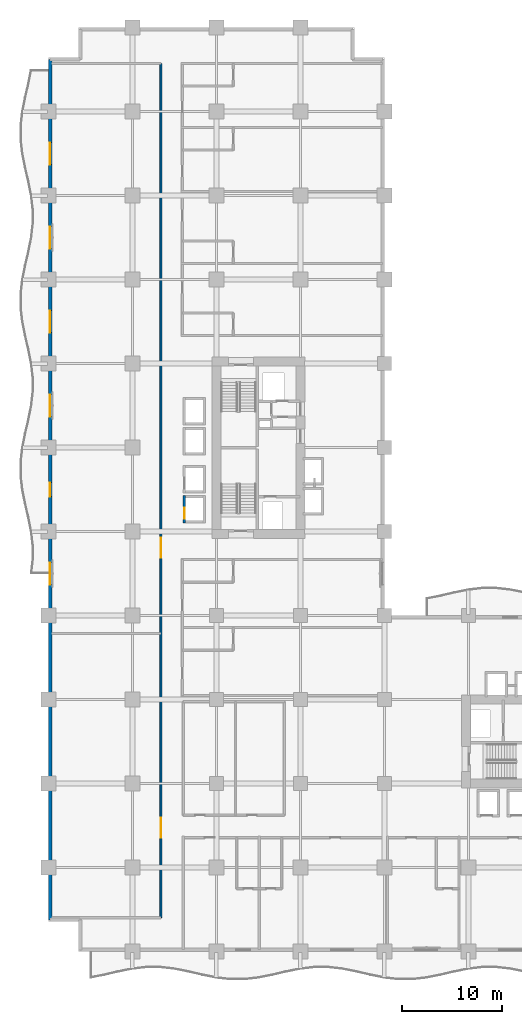
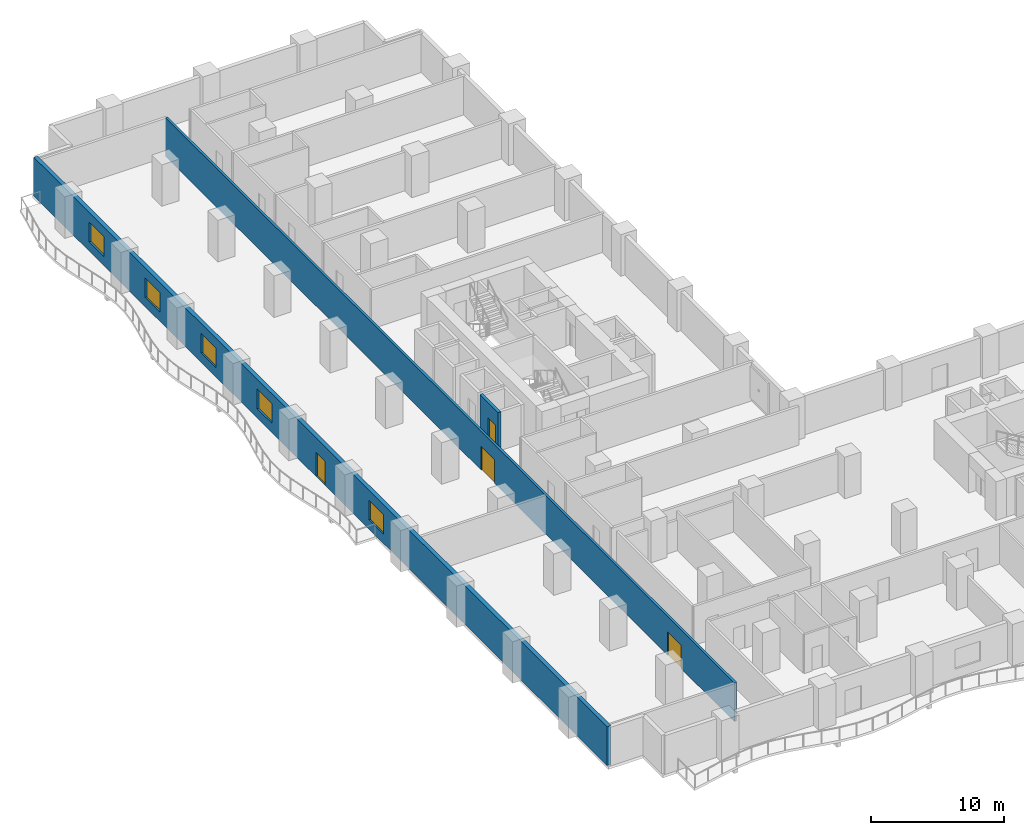
# One storey, part 8 of 20: 5 windows, 4 doors, 3 walls, 9 openings.
"""IFC4 building model written with IfcOpenShell, lengths in metres."""

from ifc_helpers import new_model, si_unit, direction, frame, frame_2d, origin, place, context, subcontext, project, spatial, rectangle, extrude, material, layer, layer_set, type_object, element, fill, save


model = new_model("IFC4")

# Units and contexts
model_context = context("Model", 3, precision=1e-05, world=origin(), true_north=direction((0.0, 1.0)))
body_context = subcontext(model_context, "Body", "Model", "MODEL_VIEW")
ifc_project = project(units=[si_unit("LENGTHUNIT", "METRE"), si_unit("AREAUNIT", "SQUARE_METRE"), si_unit("VOLUMEUNIT", "CUBIC_METRE"), si_unit("PLANEANGLEUNIT", "RADIAN"), si_unit("MASSUNIT", "GRAM", prefix="KILO")], contexts=[model_context])

# Site, building, storey
site_placement = place(None, origin())
site = spatial("IfcSite", under=ifc_project, at=site_placement, CompositionType="ELEMENT")
building_placement = place(site_placement, origin())
building = spatial("IfcBuilding", under=site, at=building_placement, Name="Koriwani Terraces Tower", CompositionType="ELEMENT")
storey_placement = place(building_placement, frame((0.0, 0.0, 58.60009765625)))
storey = spatial("IfcBuildingStorey", under=building, at=storey_placement, Name="L13", CompositionType="ELEMENT", Elevation=58.60009765625)

# Wall, openings, doors
ifc_material_1 = material(Name="Autoclaved Cellular Concrete Blockwork", Category="masonry")
ifc_layer_1 = layer(ifc_material_1, 0.199951171875, Name="Autoclaved Cellular Concrete Blockwork")
ifc_layer_set_1 = layer_set([ifc_layer_1], Name="Autoclaved Cellular Concrete Blockwork")
wall_type_1 = type_object("IfcWallType", Name="WALL_CORRIDOR_200", PredefinedType="PARTITIONING", material=ifc_layer_set_1)
wall_1_placement = place(storey_placement, frame((11.25, 3.39990234375, 0.0), z_axis=(0.0, 0.0, 1.0), x_axis=(0.0, 1.0, 0.0)))
wall_1 = element("IfcWall", 1, at=wall_1_placement, inside=storey, type_object=wall_type_1, Name="L13 Interior Wall WZ1NWCL-L13", PredefinedType="PARTITIONING", context=body_context, shape_type="SweptSolid", body=[
    extrude(rectangle(XDim=85.400146484375, YDim=0.199951171875, at=frame_2d((42.7001953125, 0.0))), origin(), (0.0, 0.0, 1.0), 3.5498046875),
])
opening_1_placement = place(wall_1_placement, frame((8.0, 0.0, 0.0)))
opening_1 = element("IfcOpeningElement", 2, at=opening_1_placement, cuts=wall_1, Name="Opening D-02", PredefinedType="OPENING", context=body_context, shape_type="SweptSolid", body=[
    extrude(rectangle(XDim=2.0, YDim=2.14990234375, at=frame_2d((1.0, 1.074951171875))), frame((0.0, 0.10986328125, 0.0), z_axis=(0.0, -1.0, 0.0), x_axis=(1.0, 0.0, 0.0)), (0.0, 0.0, 1.0), 0.219970703125),
])
opening_2_placement = place(wall_1_placement, frame((36.0, 0.0, 0.0)))
opening_2 = element("IfcOpeningElement", 3, at=opening_2_placement, cuts=wall_1, Name="Opening D-02", PredefinedType="OPENING", context=body_context, shape_type="SweptSolid", body=[
    extrude(rectangle(XDim=2.0, YDim=2.14990234375, at=frame_2d((1.0, 1.074951171875))), frame((0.0, 0.10986328125, 0.0), z_axis=(0.0, -1.0, 0.0), x_axis=(1.0, 0.0, 0.0)), (0.0, 0.0, 1.0), 0.219970703125),
])
ifc_material_2 = material(Name="Anodised Bronze Aluminium", Category="aluminium")
door_type_1 = type_object("IfcDoorType", Name="DOOR_ENTRANCE_DOUBLE_2000X2400", OperationType="NOTDEFINED", PredefinedType="DOOR", material=ifc_material_2)
door_1_placement = place(opening_1_placement, origin())
door_1 = element("IfcDoor", 4, at=door_1_placement, inside=storey, type_object=door_type_1, Name="L13 Hotel Spa Wellness Hall Door", OperationType="SINGLE_SWING_LEFT", OverallHeight=2.14990234375, OverallWidth=2.0, PredefinedType="DOOR", context=body_context, shape_type="SweptSolid", body=[
    extrude(rectangle(XDim=2.0, YDim=2.14990234375, at=frame_2d((1.0, 1.074951171875))), frame((0.0, 0.02490234375, 0.0), z_axis=(0.0, -1.0, 0.0), x_axis=(1.0, 0.0, 0.0)), (0.0, 0.0, 1.0), 0.050048828125),
])
fill(opening_1, door_1)
door_2_placement = place(opening_2_placement, origin())
door_2 = element("IfcDoor", 5, at=door_2_placement, inside=storey, type_object=door_type_1, Name="L13 Hotel Cinema Conference Door", OperationType="SINGLE_SWING_LEFT", OverallHeight=2.14990234375, OverallWidth=2.0, PredefinedType="DOOR", context=body_context, shape_type="SweptSolid", body=[
    extrude(rectangle(XDim=2.0, YDim=2.14990234375, at=frame_2d((1.0, 1.074951171875))), frame((0.0, 0.02490234375, 0.0), z_axis=(0.0, -1.0, 0.0), x_axis=(1.0, 0.0, 0.0)), (0.0, 0.0, 1.0), 0.050048828125),
])
fill(opening_2, door_2)

# Wall, openings, door, windows
ifc_material_3 = material(Name="Concrete C50/60", Category="concrete")
ifc_layer_2 = layer(ifc_material_3, 0.35009765625, Name="Concrete C50/60")
ifc_layer_set_2 = layer_set([ifc_layer_2], Name="Concrete C50/60")
wall_type_2 = type_object("IfcWallType", Name="WALL_EXT_BRUTALIST_350", PredefinedType="STANDARD", material=ifc_layer_set_2)
wall_2_placement = place(storey_placement, frame((0.175048828125, 3.175048828125, 0.0), z_axis=(0.0, 0.0, 1.0), x_axis=(0.0, 1.0, 0.0)))
wall_2 = element("IfcWall", 6, at=wall_2_placement, inside=storey, type_object=wall_type_2, Name="L13 Fair-Faced Brutalist Exterior Wall (W)", PredefinedType="STANDARD", context=body_context, shape_type="SweptSolid", body=[
    extrude(rectangle(XDim=86.050048828125, YDim=0.35009765625, at=frame_2d((43.02490234375, 0.0))), origin(), (0.0, 0.0, 1.0), 3.5498046875),
])
opening_3_placement = place(wall_2_placement, frame((42.324951171875, 0.0, 0.0)))
opening_3 = element("IfcOpeningElement", 7, at=opening_3_placement, cuts=wall_2, Name="Opening D-09", PredefinedType="OPENING", context=body_context, shape_type="SweptSolid", body=[
    extrude(rectangle(XDim=1.39990234375, YDim=2.199951171875, at=frame_2d((0.699951171875, 1.10009765625))), frame((0.0, 0.18505859375, 0.0), z_axis=(0.0, -1.0, 0.0), x_axis=(1.0, 0.0, 0.0)), (0.0, 0.0, 1.0), 0.3701171875),
])
opening_4_placement = place(wall_2_placement, frame((33.52490234375, 0.0, 0.85009765625)))
opening_4 = element("IfcOpeningElement", 8, at=opening_4_placement, cuts=wall_2, Name="Opening W-01", PredefinedType="OPENING", context=body_context, shape_type="SweptSolid", body=[
    extrude(rectangle(XDim=2.199951171875, YDim=1.800048828125, at=frame_2d((1.10009765625, 0.89990234375))), frame((0.0, 0.18505859375, 0.0), z_axis=(0.0, -1.0, 0.0), x_axis=(1.0, 0.0, 0.0)), (0.0, 0.0, 1.0), 0.3701171875),
])
opening_5_placement = place(wall_2_placement, frame((50.324951171875, 0.0, 0.85009765625)))
opening_5 = element("IfcOpeningElement", 9, at=opening_5_placement, cuts=wall_2, Name="Opening W-01", PredefinedType="OPENING", context=body_context, shape_type="SweptSolid", body=[
    extrude(rectangle(XDim=2.199951171875, YDim=1.800048828125, at=frame_2d((1.10009765625, 0.89990234375))), frame((0.0, 0.18505859375, 0.0), z_axis=(0.0, -1.0, 0.0), x_axis=(1.0, 0.0, 0.0)), (0.0, 0.0, 1.0), 0.3701171875),
])
opening_6_placement = place(wall_2_placement, frame((58.72509765625, 0.0, 0.85009765625)))
opening_6 = element("IfcOpeningElement", 10, at=opening_6_placement, cuts=wall_2, Name="Opening W-01", PredefinedType="OPENING", context=body_context, shape_type="SweptSolid", body=[
    extrude(rectangle(XDim=2.199951171875, YDim=1.800048828125, at=frame_2d((1.10009765625, 0.89990234375))), frame((0.0, 0.18505859375, 0.0), z_axis=(0.0, -1.0, 0.0), x_axis=(1.0, 0.0, 0.0)), (0.0, 0.0, 1.0), 0.3701171875),
])
opening_7_placement = place(wall_2_placement, frame((67.125, 0.0, 0.85009765625)))
opening_7 = element("IfcOpeningElement", 11, at=opening_7_placement, cuts=wall_2, Name="Opening W-01", PredefinedType="OPENING", context=body_context, shape_type="SweptSolid", body=[
    extrude(rectangle(XDim=2.199951171875, YDim=1.800048828125, at=frame_2d((1.10009765625, 0.89990234375))), frame((0.0, 0.18505859375, 0.0), z_axis=(0.0, -1.0, 0.0), x_axis=(1.0, 0.0, 0.0)), (0.0, 0.0, 1.0), 0.3701171875),
])
opening_8_placement = place(wall_2_placement, frame((75.52490234375, 0.0, 0.85009765625)))
opening_8 = element("IfcOpeningElement", 12, at=opening_8_placement, cuts=wall_2, Name="Opening W-01", PredefinedType="OPENING", context=body_context, shape_type="SweptSolid", body=[
    extrude(rectangle(XDim=2.199951171875, YDim=1.800048828125, at=frame_2d((1.10009765625, 0.89990234375))), frame((0.0, 0.18505859375, 0.0), z_axis=(0.0, -1.0, 0.0), x_axis=(1.0, 0.0, 0.0)), (0.0, 0.0, 1.0), 0.3701171875),
])
door_type_2 = type_object("IfcDoorType", Name="DOOR_BALCONY_GLAZED_1400X2200", OperationType="NOTDEFINED", PredefinedType="DOOR", material=ifc_material_2)
door_3_placement = place(opening_3_placement, origin())
door_3 = element("IfcDoor", 13, at=door_3_placement, inside=storey, type_object=door_type_2, Name="L13 West Balcony Glazed Door", OperationType="SINGLE_SWING_LEFT", OverallHeight=2.199951171875, OverallWidth=1.39990234375, PredefinedType="DOOR", context=body_context, shape_type="SweptSolid", body=[
    extrude(rectangle(XDim=1.39990234375, YDim=2.199951171875, at=frame_2d((0.699951171875, 1.10009765625))), frame((0.0, 0.02490234375, 0.0), z_axis=(0.0, -1.0, 0.0), x_axis=(1.0, 0.0, 0.0)), (0.0, 0.0, 1.0), 0.050048828125),
])
fill(opening_3, door_3)
ifc_material_4 = material(Name="Tempered Laminated Low-E Glass", Category="glass")
window_type = type_object("IfcWindowType", Name="WIN_HOTEL_STD_2200X1800", PartitioningType="DOUBLE_PANEL_VERTICAL", PredefinedType="WINDOW", material=ifc_material_4)
window_1_placement = place(opening_4_placement, origin())
window_1 = element("IfcWindow", 14, at=window_1_placement, inside=storey, type_object=window_type, Name="L13 Exterior Window (W-12)", OverallHeight=1.800048828125, OverallWidth=2.199951171875, PartitioningType="SINGLE_PANEL", PredefinedType="WINDOW", context=body_context, shape_type="SweptSolid", body=[
    extrude(rectangle(XDim=2.199951171875, YDim=1.800048828125, at=frame_2d((1.10009765625, 0.89990234375))), frame((0.0, 0.030029296875, 0.0), z_axis=(0.0, -1.0, 0.0), x_axis=(1.0, 0.0, 0.0)), (0.0, 0.0, 1.0), 0.06005859375),
])
fill(opening_4, window_1)
window_2_placement = place(opening_5_placement, origin())
window_2 = element("IfcWindow", 15, at=window_2_placement, inside=storey, type_object=window_type, Name="L13 Exterior Window (W-18)", OverallHeight=1.800048828125, OverallWidth=2.199951171875, PartitioningType="SINGLE_PANEL", PredefinedType="WINDOW", context=body_context, shape_type="SweptSolid", body=[
    extrude(rectangle(XDim=2.199951171875, YDim=1.800048828125, at=frame_2d((1.10009765625, 0.89990234375))), frame((0.0, 0.030029296875, 0.0), z_axis=(0.0, -1.0, 0.0), x_axis=(1.0, 0.0, 0.0)), (0.0, 0.0, 1.0), 0.06005859375),
])
fill(opening_5, window_2)
window_3_placement = place(opening_6_placement, origin())
window_3 = element("IfcWindow", 16, at=window_3_placement, inside=storey, type_object=window_type, Name="L13 Exterior Window (W-21)", OverallHeight=1.800048828125, OverallWidth=2.199951171875, PartitioningType="SINGLE_PANEL", PredefinedType="WINDOW", context=body_context, shape_type="SweptSolid", body=[
    extrude(rectangle(XDim=2.199951171875, YDim=1.800048828125, at=frame_2d((1.10009765625, 0.89990234375))), frame((0.0, 0.030029296875, 0.0), z_axis=(0.0, -1.0, 0.0), x_axis=(1.0, 0.0, 0.0)), (0.0, 0.0, 1.0), 0.06005859375),
])
fill(opening_6, window_3)
window_4_placement = place(opening_7_placement, origin())
window_4 = element("IfcWindow", 17, at=window_4_placement, inside=storey, type_object=window_type, Name="L13 Exterior Window (W-24)", OverallHeight=1.800048828125, OverallWidth=2.199951171875, PartitioningType="SINGLE_PANEL", PredefinedType="WINDOW", context=body_context, shape_type="SweptSolid", body=[
    extrude(rectangle(XDim=2.199951171875, YDim=1.800048828125, at=frame_2d((1.10009765625, 0.89990234375))), frame((0.0, 0.030029296875, 0.0), z_axis=(0.0, -1.0, 0.0), x_axis=(1.0, 0.0, 0.0)), (0.0, 0.0, 1.0), 0.06005859375),
])
fill(opening_7, window_4)
window_5_placement = place(opening_8_placement, origin())
window_5 = element("IfcWindow", 18, at=window_5_placement, inside=storey, type_object=window_type, Name="L13 Exterior Window (W-27)", OverallHeight=1.800048828125, OverallWidth=2.199951171875, PartitioningType="SINGLE_PANEL", PredefinedType="WINDOW", context=body_context, shape_type="SweptSolid", body=[
    extrude(rectangle(XDim=2.199951171875, YDim=1.800048828125, at=frame_2d((1.10009765625, 0.89990234375))), frame((0.0, 0.030029296875, 0.0), z_axis=(0.0, -1.0, 0.0), x_axis=(1.0, 0.0, 0.0)), (0.0, 0.0, 1.0), 0.06005859375),
])
fill(opening_8, window_5)

# Wall, opening, door
ifc_material_5 = material(Name="Concrete C40/50", Category="concrete")
ifc_layer_3 = layer(ifc_material_5, 0.25, Name="Concrete C40/50")
ifc_layer_set_3 = layer_set([ifc_layer_3], Name="Concrete C40/50")
wall_type_3 = type_object("IfcWallType", Name="WALL_SHAFT_RATED_250", PredefinedType="SOLIDWALL", material=ifc_layer_set_3)
wall_3_placement = place(storey_placement, frame((13.60009765625, 42.875, 0.0), z_axis=(0.0, 0.0, 1.0), x_axis=(0.0, 1.0, 0.0)))
wall_3 = element("IfcWall", 19, at=wall_3_placement, inside=storey, type_object=wall_type_3, Name="L13 Interior Wall WIN-LF-PE-L1-L13-F", PredefinedType="SOLIDWALL", context=body_context, shape_type="SweptSolid", body=[
    extrude(rectangle(XDim=2.75, YDim=0.25, at=frame_2d((1.375, 0.0))), origin(), (0.0, 0.0, 1.0), 3.5498046875),
])
opening_9_placement = place(wall_3_placement, frame((0.39990234375, 0.0, 0.0)))
opening_9 = element("IfcOpeningElement", 20, at=opening_9_placement, cuts=wall_3, Name="Opening LD-01", PredefinedType="OPENING", context=body_context, shape_type="SweptSolid", body=[
    extrude(rectangle(XDim=1.10009765625, YDim=2.14990234375, at=frame_2d((0.550048828125, 1.074951171875))), frame((0.0, 0.135009765625, 0.0), z_axis=(0.0, -1.0, 0.0), x_axis=(1.0, 0.0, 0.0)), (0.0, 0.0, 1.0), 0.27001953125),
])
ifc_material_6 = material(Name="Steel ASTM A572 Grade 50", Category="steel")
door_type_3 = type_object("IfcDoorType", Name="DOOR_LIFT_LANDING_1100X2200", OperationType="NOTDEFINED", PredefinedType="DOOR", material=ifc_material_6)
door_4_placement = place(opening_9_placement, origin())
door_4 = element("IfcDoor", 21, at=door_4_placement, inside=storey, type_object=door_type_3, Name="L13 Passenger Lift PE-L1 Landing Door", OperationType="SLIDING_TO_LEFT", OverallHeight=2.14990234375, OverallWidth=1.10009765625, PredefinedType="DOOR", context=body_context, shape_type="SweptSolid", body=[
    extrude(rectangle(XDim=1.10009765625, YDim=2.14990234375, at=frame_2d((0.550048828125, 1.074951171875))), frame((0.0, 0.02490234375, 0.0), z_axis=(0.0, -1.0, 0.0), x_axis=(1.0, 0.0, 0.0)), (0.0, 0.0, 1.0), 0.050048828125),
])
fill(opening_9, door_4)

save(model, "model.ifc")
